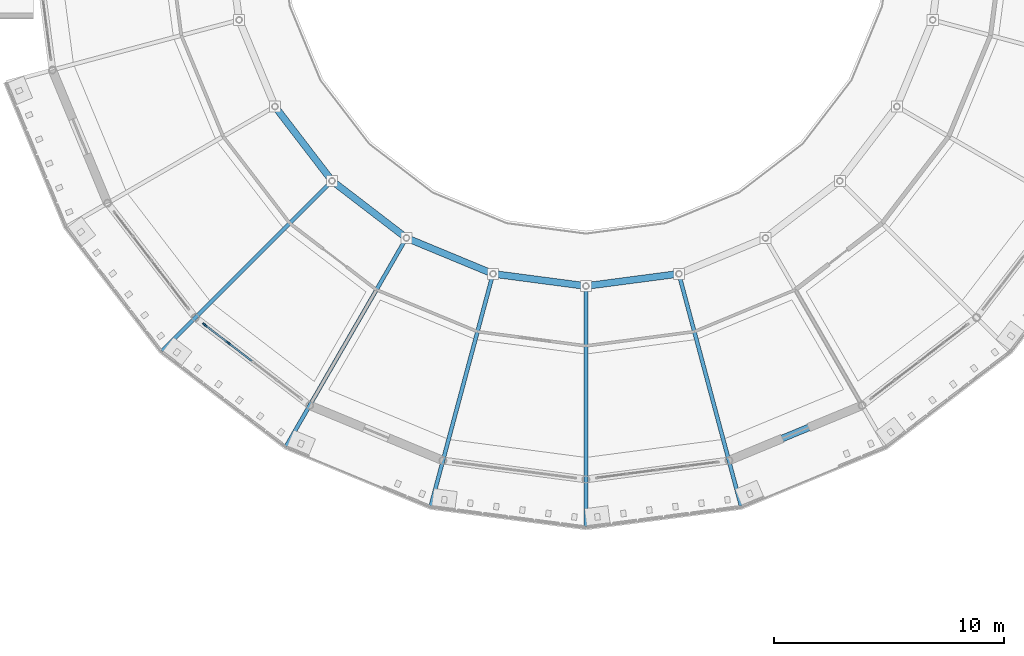
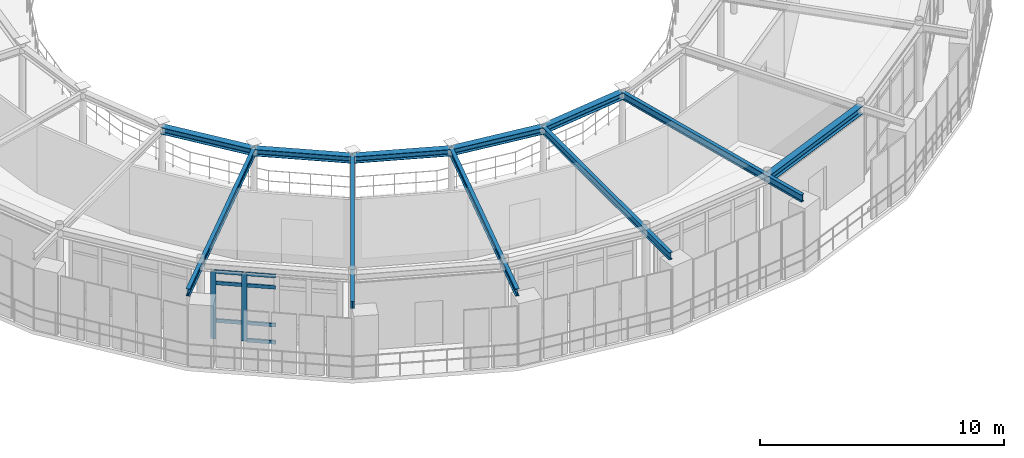
# One storey, part 23 of 70: 11 beams, 9 members, 1 element without a shape of its own.
"""IFC4 building model written with IfcOpenShell, lengths in metres."""

import ifcopenshell
import ifcopenshell.guid

model = None  # the IFC model being written
_history = None  # IfcOwnerHistory: only IFC2X3 demands one
_inside = {}  # id of a spatial element -> (the spatial element, [elements in it])
_under = {}  # id of a project, library or spatial element -> (it, [spatial elements below it])
_declared = {}  # id of a project -> (the project, [libraries it declares])
_typed = {}  # id of a type object -> (the type object, [elements of that type])
_made_of = {}  # id of a material, layer set ... -> (it, [elements and type objects made of it])


def new_model(schema):
    """Start an empty IFC model of exactly this schema.

    Asked for "IFC4X3", IfcOpenShell would pick the latest addendum, in which some entities
    have other attributes; the version numbers below select the first issue.
    IFC2X3 requires an IfcOwnerHistory on every rooted entity: one is made here for all.
    """
    global model, _history
    if schema == "IFC4X3":
        model = ifcopenshell.file(schema_version=(4, 3, 0, 0))
    else:
        model = ifcopenshell.file(schema=schema)
    _inside.clear()
    _under.clear()
    _declared.clear()
    _typed.clear()
    _made_of.clear()
    _history = None
    if model.schema == "IFC2X3":
        org = make("IfcOrganization", Name="unknown")
        user = make(
            "IfcPersonAndOrganization",
            ThePerson=make("IfcPerson", FamilyName="unknown"),
            TheOrganization=org,
        )
        app = make(
            "IfcApplication",
            ApplicationDeveloper=org,
            Version="unknown",
            ApplicationFullName="unknown",
            ApplicationIdentifier="unknown",
        )
        _history = make(
            "IfcOwnerHistory",
            OwningUser=user,
            OwningApplication=app,
            ChangeAction="ADDED",
            CreationDate=0,
        )
    return model


def make(cls, **values):
    """One entity of the class cls with the attributes given. An attribute that is None is left unset."""
    return model.create_entity(
        cls, **{name: value for name, value in values.items() if value is not None}
    )


def rooted(cls, **values):
    """An entity with a GlobalId (a new one), such as an element, a storey or a relation."""
    return make(cls, GlobalId=ifcopenshell.guid.new(), OwnerHistory=_history, **values)


def si_unit(unit_type, name, prefix=None):
    """IfcSIUnit, for example si_unit("LENGTHUNIT", "METRE", prefix="MILLI")."""
    return make("IfcSIUnit", UnitType=unit_type, Prefix=prefix, Name=name)


def derived_unit(unit_type, elements):
    """IfcDerivedUnit: a product of units, each with its exponent."""
    return make(
        "IfcDerivedUnit",
        Elements=[
            make("IfcDerivedUnitElement", Unit=unit, Exponent=power)
            for unit, power in elements
        ],
        UnitType=unit_type,
    )


def assignment(units):
    """IfcUnitAssignment: the units of a project."""
    return None if units is None else make("IfcUnitAssignment", Units=units)


def point(xyz):
    """IfcCartesianPoint."""
    return None if xyz is None else make("IfcCartesianPoint", Coordinates=xyz)


def direction(xyz):
    """IfcDirection."""
    return None if xyz is None else make("IfcDirection", DirectionRatios=xyz)


def frame(location, z_axis=None, x_axis=None):
    """IfcAxis2Placement3D, a coordinate frame: its origin and axes. An axis left out is left unset."""
    return make(
        "IfcAxis2Placement3D",
        Location=point(location),
        Axis=direction(z_axis),
        RefDirection=direction(x_axis),
    )


def frame_2d(location, x_axis=None):
    """IfcAxis2Placement2D, a coordinate frame in the plane: its origin and x axis."""
    return make(
        "IfcAxis2Placement2D", Location=point(location), RefDirection=direction(x_axis)
    )


def origin():
    """The frame at (0, 0, 0) with its axes left unset."""
    return frame((0.0, 0.0, 0.0))


def origin_2d():
    """The frame at (0, 0) in the plane with its x axis left unset."""
    return frame_2d((0.0, 0.0))


def place(relative_to, where):
    """IfcLocalPlacement: puts the frame where relative to a parent placement (None: the world)."""
    return make(
        "IfcLocalPlacement", PlacementRelTo=relative_to, RelativePlacement=where
    )


def context(
    kind, dimensions, precision=None, world=None, true_north=None, identifier=None
):
    """IfcGeometricRepresentationContext, for example the 3D "Model" context."""
    return make(
        "IfcGeometricRepresentationContext",
        ContextIdentifier=identifier,
        ContextType=kind,
        CoordinateSpaceDimension=dimensions,
        Precision=precision,
        WorldCoordinateSystem=world,
        TrueNorth=true_north,
    )


def subcontext(parent, identifier, kind, view, scale=None):
    """IfcGeometricRepresentationSubContext, for example "Body" below "Model"."""
    return make(
        "IfcGeometricRepresentationSubContext",
        ContextIdentifier=identifier,
        ContextType=kind,
        ParentContext=parent,
        TargetScale=scale,
        TargetView=view,
    )


def project(units=None, contexts=None):
    """IfcProject with its units and contexts."""
    return rooted(
        "IfcProject",
        Name="project",
        RepresentationContexts=contexts,
        UnitsInContext=assignment(units),
    )


def spatial(cls, under=None, at=None, **own):
    """A site, building, storey or space (cls), placed at a placement, below another one or the project."""
    s = rooted(cls, ObjectPlacement=at, **own)
    if under is not None:
        _under.setdefault(under.id(), (under, []))[1].append(s)
    return s


def profile(cls, at=None, kind="AREA", **sizes):
    """A parametric profile (cls). Its sizes go by their IFC names, for example OverallWidth=200.0."""
    return make(cls, ProfileType=kind, Position=at, **sizes)


def rectangle(**sizes):
    """IfcRectangleProfileDef."""
    return profile("IfcRectangleProfileDef", **sizes)


def i_section(**sizes):
    """IfcIShapeProfileDef."""
    return profile("IfcIShapeProfileDef", **sizes)


def extrude(swept, where, along, depth):
    """IfcExtrudedAreaSolid: the profile swept, set in the frame where, extruded along a direction by depth."""
    return make(
        "IfcExtrudedAreaSolid",
        SweptArea=swept,
        Position=where,
        ExtrudedDirection=direction(along),
        Depth=depth,
    )


def shape(context_of_items, identifier, shape_type, items):
    """IfcShapeRepresentation: the items that make up one representation, for example the "Body"."""
    return make(
        "IfcShapeRepresentation",
        ContextOfItems=context_of_items,
        RepresentationIdentifier=identifier,
        RepresentationType=shape_type,
        Items=items,
    )


def material(Name=None, Category=None):
    """IfcMaterial."""
    return make("IfcMaterial", Name=Name, Category=Category)


def layer(
    of_material, thickness, ventilated=None, Name=None, Category=None, Priority=None
):
    """IfcMaterialLayer: one layer of a wall or slab, of a material (None: an air gap)."""
    return make(
        "IfcMaterialLayer",
        Material=of_material,
        LayerThickness=thickness,
        IsVentilated=ventilated,
        Name=Name,
        Category=Category,
        Priority=Priority,
    )


def layer_set(layers, Name=None):
    """IfcMaterialLayerSet."""
    return make("IfcMaterialLayerSet", MaterialLayers=layers, LayerSetName=Name)


def material_profile(
    of_material, cross_section, Name=None, Category=None, Priority=None
):
    """IfcMaterialProfile: a cross section and its material."""
    return make(
        "IfcMaterialProfile",
        Name=Name,
        Material=of_material,
        Profile=cross_section,
        Priority=Priority,
        Category=Category,
    )


def profile_set(profiles, Name=None, composite=None):
    """IfcMaterialProfileSet."""
    return make(
        "IfcMaterialProfileSet",
        Name=Name,
        MaterialProfiles=profiles,
        CompositeProfile=composite,
    )


def made_of(thing, what):
    """Note that an element or type object is made of a material, layer set ...; save() writes the relation."""
    if what is not None:
        _made_of.setdefault(what.id(), (what, []))[1].append(thing)
    return thing


def type_object(cls, material=None, **own):
    """A type object (cls), such as IfcWallType, which elements share."""
    return made_of(rooted(cls, **own), material)


def element(
    cls,
    number,
    at=None,
    inside=None,
    cuts=None,
    type_object=None,
    material=None,
    context=None,
    identifier="Body",
    shape_type=None,
    held_by="IfcProductDefinitionShape",
    body=None,
    shapes=None,
    **own,
):
    """One element of the class cls, such as IfcWall. Its Tag is "e" and its number.

    at: its placement. inside: the storey or other place that contains it. cuts: it is an
    opening in that element (IfcRelVoidsElement). A single representation is given by context,
    identifier, shape_type and body (its items); several are given by shapes. held_by: the class
    of the entity that holds the representations. save() writes the other relations.
    """
    e = rooted(cls, Tag="e%d" % number, ObjectPlacement=at, **own)
    if body is not None:
        shapes = [shape(context, identifier, shape_type, body)]
    if shapes is not None:
        e.Representation = make(held_by, Representations=shapes)
    if inside is not None:
        _inside.setdefault(inside.id(), (inside, []))[1].append(e)
    if cuts is not None:
        rooted(
            "IfcRelVoidsElement", RelatingBuildingElement=cuts, RelatedOpeningElement=e
        )
    if type_object is not None:
        _typed.setdefault(type_object.id(), (type_object, []))[1].append(e)
    return made_of(e, material)


def aggregate(whole, parts):
    """IfcRelAggregates: a whole, such as a stair, and the parts it consists of."""
    return rooted("IfcRelAggregates", RelatingObject=whole, RelatedObjects=parts)


def save(model, path):
    """Write the relations noted so far, then the file.

    IfcRelAggregates (storeys below a building ...), IfcRelContainedInSpatialStructure (elements
    in a storey), IfcRelDefinesByType, IfcRelAssociatesMaterial and IfcRelDeclares: one each for
    every whole, place, type object, material and project.
    """
    for whole, parts in _under.values():
        aggregate(whole, parts)
    for where, things in _inside.values():
        rooted(
            "IfcRelContainedInSpatialStructure",
            RelatedElements=things,
            RelatingStructure=where,
        )
    for kind, things in _typed.values():
        rooted("IfcRelDefinesByType", RelatedObjects=things, RelatingType=kind)
    for what, things in _made_of.values():
        rooted("IfcRelAssociatesMaterial", RelatedObjects=things, RelatingMaterial=what)
    for by, libraries in _declared.values():
        rooted("IfcRelDeclares", RelatingContext=by, RelatedDefinitions=libraries)
    model.write(path)


model = new_model("IFC4")

# Units and contexts
model_context = context("Model", 3, precision=1e-05, world=origin(), true_north=direction((0.0, 1.0)))
body_context = subcontext(model_context, "Body", "Model", "MODEL_VIEW")
ifc_project = project(units=[si_unit("LENGTHUNIT", "METRE"), si_unit("AREAUNIT", "SQUARE_METRE"), si_unit("VOLUMEUNIT", "CUBIC_METRE"), si_unit("PLANEANGLEUNIT", "RADIAN"), si_unit("MASSUNIT", "GRAM", prefix="KILO"), derived_unit("THERMALTRANSMITTANCEUNIT", [(si_unit("POWERUNIT", "WATT"), 1), (si_unit("AREAUNIT", "SQUARE_METRE"), -1), (si_unit("THERMODYNAMICTEMPERATUREUNIT", "KELVIN"), -1)])], contexts=[model_context])

# Site, building, storey
site_placement = place(None, origin())
site = spatial("IfcSite", under=ifc_project, at=site_placement, CompositionType="ELEMENT")
building_placement = place(site_placement, origin())
building = spatial("IfcBuilding", under=site, at=building_placement, Name="Yasenodar Specialist Clinic", CompositionType="ELEMENT")
storey_placement = place(building_placement, frame((0.0, 0.0, 13.199951171875)))
storey = spatial("IfcBuildingStorey", under=building, at=storey_placement, Name="L03", CompositionType="ELEMENT", Elevation=13.199951171875)

# Beams
ifc_material_1 = material(Name="Steel S355", Category="steel")
ifc_material_profile_1 = material_profile(ifc_material_1, i_section(OverallWidth=0.300048828125, OverallDepth=0.330078125, WebThickness=0.009521484375, FlangeThickness=0.0166015625, FilletRadius=0.027099609375, at=origin_2d()), Name="HEA 340")
ifc_profile_set_1 = profile_set([ifc_material_profile_1], Name="Steel S355")
beam_type_1 = type_object("IfcBeamType", Name="BM-HEA340", PredefinedType="BEAM", material=ifc_profile_set_1)
for number, where, z_axis, x_axis, name in (
    (1, (67.489990234375, 51.0, 3.635009765625), (0.608731039936, -0.793376657722, 0.0), (0.793376657722, 0.608731039936, 0.0), "L03 Drum V1 Inner Ring Beam"),
    (2, (69.968994140625, 47.76904296875, 3.635009765625), (0.793376657722, -0.608731039936, 0.0), (0.608731039936, 0.793376657722, 0.0), "L03 Drum V1 Inner Ring Beam"),
    (3, (73.199951171875, 45.2900390625, 3.635009765625), (0.92388896868, -0.382660650645, 0.0), (0.382660650645, 0.92388896868, 0.0), "L03 Drum V1 Inner Ring Beam"),
    (4, (76.96240234375, 43.731689453125, 3.635009765625), (0.991439189385, -0.130569268018, 0.0), (0.130569268018, 0.991439189385, 0.0), "L03 Drum V1 Inner Ring Beam"),
    (5, (81.0, 43.199951171875, 3.635009765625), (0.991439189385, 0.130569268018, 0.0), (-0.130569268018, 0.991439189385, 0.0), "L03 Drum V1 Inner Ring Beam"),
):
    element("IfcBeam", number, at=place(storey_placement, frame(where, z_axis=z_axis, x_axis=x_axis)), inside=storey, type_object=beam_type_1, Name=name, PredefinedType="BEAM", context=body_context, shape_type="SweptSolid", body=[
        extrude(i_section(OverallWidth=0.300048828125, OverallDepth=0.330078125, WebThickness=0.009521484375, FlangeThickness=0.0166015625, FilletRadius=0.027099609375, at=origin_2d()), origin(), (0.0, 0.0, 1.0), 4.072509765625),
    ])
ifc_material_profile_2 = material_profile(ifc_material_1, i_section(OverallWidth=0.300048828125, OverallDepth=0.389892578125, WebThickness=0.010986328125, FlangeThickness=0.01904296875, FilletRadius=0.027099609375, at=origin_2d()), Name="HEA 400")
ifc_profile_set_2 = profile_set([ifc_material_profile_2], Name="Steel S355")
beam_type_2 = type_object("IfcBeamType", Name="BM-HEA400", PredefinedType="BEAM", material=ifc_profile_set_2)
beam_placement = place(storey_placement, frame((87.211669921875, 35.617919921875, 3.60498046875), z_axis=(0.9238876519, 0.382663829839, 0.0), x_axis=(-0.382663829839, 0.9238876519, 0.0)))
element("IfcBeam", 6, at=beam_placement, inside=storey, type_object=beam_type_2, Name="L03 Drum V1 Perimeter Ring Beam", PredefinedType="BEAM", context=body_context, shape_type="SweptSolid", body=[
    extrude(i_section(OverallWidth=0.300048828125, OverallDepth=0.389892578125, WebThickness=0.010986328125, FlangeThickness=0.01904296875, FilletRadius=0.027099609375, at=origin_2d()), origin(), (0.0, 0.0, 1.0), 6.26513671875),
])
ifc_material_profile_3 = material_profile(ifc_material_1, i_section(OverallWidth=0.169921875, OverallDepth=0.360107421875, WebThickness=0.008056640625, FlangeThickness=0.0126953125, FilletRadius=0.01806640625, at=origin_2d()), Name="IPE 360")
ifc_profile_set_3 = profile_set([ifc_material_profile_3], Name="Steel S355")
beam_type_3 = type_object("IfcBeamType", Name="BM-IPE360", PredefinedType="BEAM", material=ifc_profile_set_3)
for number, where, z_axis, x_axis, name in (
    (7, (69.968994140625, 47.76904296875, 3.6201171875), (-0.707106781187, -0.707106781187, 0.0), (0.707106781187, -0.707106781187, 0.0), "L03 Drum V1 Radial Back-Spanned Cantilever Beam"),
    (8, (73.199951171875, 45.2900390625, 3.6201171875), (-0.499986032603, -0.866033467715, 0.0), (0.866033467715, -0.499986032603, 0.0), "L03 Drum V1 Radial Back-Spanned Cantilever Beam"),
    (9, (76.96240234375, 43.731689453125, 3.6201171875), (-0.258811211874, -0.965927925162, 0.0), (0.965927925162, -0.258811211874, 0.0), "L03 Drum V1 Radial Back-Spanned Cantilever Beam"),
    (10, (81.0, 43.199951171875, 3.6201171875), (0.0, -1.0, 0.0), (1.0, 0.0, 0.0), "L03 Drum V1 Radial Back-Spanned Cantilever Beam"),
    (11, (85.03759765625, 43.731689453125, 3.6201171875), (0.258811211874, -0.965927925162, 0.0), (0.965927925162, 0.258811211874, 0.0), "L03 Drum V1 Radial Back-Spanned Cantilever Beam"),
):
    element("IfcBeam", number, at=place(storey_placement, frame(where, z_axis=z_axis, x_axis=x_axis)), inside=storey, type_object=beam_type_3, Name=name, PredefinedType="BEAM", context=body_context, shape_type="SweptSolid", body=[
        extrude(i_section(OverallWidth=0.169921875, OverallDepth=0.360107421875, WebThickness=0.008056640625, FlangeThickness=0.0126953125, FilletRadius=0.01806640625, at=origin_2d()), origin(), (0.0, 0.0, 1.0), 10.449951171875),
    ])

# Curtain wall, members
ifc_material_2 = material(Name="Bronze Anodized Aluminium and Triple Low-E Glass", Category="aluminium")
ifc_layer = layer(ifc_material_2, 0.1669921875)
ifc_layer_set = layer_set([ifc_layer], Name="Bronze Anodized Aluminium and Triple Low-E Glass")
curtain_wall_type = type_object("IfcCurtainWallType", Name="CW-SYS-01", PredefinedType="USERDEFINED", material=ifc_layer_set)
curtain_wall_placement = place(storey_placement, origin())
curtain_wall = element("IfcCurtainWall", 12, at=curtain_wall_placement, inside=storey, type_object=curtain_wall_type, Name="L03 Unitised Curtain Wall 050", ObjectType="UNITISED CURTAIN WALL", PredefinedType="USERDEFINED")
ifc_material_3 = material(Name="Bronze Anodized Aluminium", Category="aluminium")
ifc_material_profile_4 = material_profile(ifc_material_3, rectangle(XDim=0.074951171875, YDim=0.22509765625, at=origin_2d()), Name="CW-MULL 75x225")
ifc_profile_set_4 = profile_set([ifc_material_profile_4], Name="Bronze Anodized Aluminium")
member_type_1 = type_object("IfcMemberType", Name="CW-MULL-225", PredefinedType="MULLION", material=ifc_profile_set_4)
member_1_placement = place(storey_placement, frame((65.46240234375, 40.729736328125, 0.0), z_axis=(0.0, 0.0, 1.0), x_axis=(-0.608752021844, -0.793360558574, 0.0)))
member_1 = element("IfcMember", 13, at=member_1_placement, type_object=member_type_1, Name="CW-01 mullion 4", PredefinedType="MULLION", context=body_context, shape_type="SweptSolid", body=[
    extrude(rectangle(XDim=0.074951171875, YDim=0.22509765625, at=origin_2d()), origin(), (0.0, 0.0, 1.0), 3.387939453125),
])
member_2_placement = place(storey_placement, frame((64.43994140625, 41.514404296875, 0.0), z_axis=(0.0, 0.0, 1.0), x_axis=(-0.608752021844, -0.793360558574, 0.0)))
member_2 = element("IfcMember", 14, at=member_2_placement, type_object=member_type_1, Name="CW-01 mullion 5", PredefinedType="MULLION", context=body_context, shape_type="SweptSolid", body=[
    extrude(rectangle(XDim=0.074951171875, YDim=0.22509765625, at=origin_2d()), origin(), (0.0, 0.0, 1.0), 3.387939453125),
])
ifc_material_profile_5 = material_profile(ifc_material_3, rectangle(XDim=0.074951171875, YDim=0.175048828125, at=origin_2d()), Name="CW-TRAN 75x175")
ifc_profile_set_5 = profile_set([ifc_material_profile_5], Name="Bronze Anodized Aluminium")
member_type_2 = type_object("IfcMemberType", Name="CW-TRAN-175", PredefinedType="USERDEFINED", material=ifc_profile_set_5)
member_3_placement = place(storey_placement, frame((66.48486328125, 39.9453125, 0.03759765625), z_axis=(-0.79334877301, 0.608767381159, 0.0), x_axis=(-0.608767381159, -0.79334877301, 0.0)))
member_3 = element("IfcMember", 15, at=member_3_placement, type_object=member_type_2, Name="CW-01 transom 3.1", ObjectType="TRANSOM", PredefinedType="USERDEFINED", context=body_context, shape_type="SweptSolid", body=[
    extrude(rectangle(XDim=0.074951171875, YDim=0.175048828125, at=origin_2d()), origin(), (0.0, 0.0, 1.0), 1.251220703125),
])
member_4_placement = place(storey_placement, frame((66.48486328125, 39.9453125, 0.900146484375), z_axis=(-0.79334877301, 0.608767381159, 0.0), x_axis=(-0.608767381159, -0.79334877301, 0.0)))
member_4 = element("IfcMember", 16, at=member_4_placement, type_object=member_type_2, Name="CW-01 transom 3.2", ObjectType="TRANSOM", PredefinedType="USERDEFINED", context=body_context, shape_type="SweptSolid", body=[
    extrude(rectangle(XDim=0.074951171875, YDim=0.175048828125, at=origin_2d()), origin(), (0.0, 0.0, 1.0), 1.251220703125),
])
member_5_placement = place(storey_placement, frame((66.48486328125, 39.9453125, 2.7880859375), z_axis=(-0.79334877301, 0.608767381159, 0.0), x_axis=(-0.608767381159, -0.79334877301, 0.0)))
member_5 = element("IfcMember", 17, at=member_5_placement, type_object=member_type_2, Name="CW-01 transom 3.3", ObjectType="TRANSOM", PredefinedType="USERDEFINED", context=body_context, shape_type="SweptSolid", body=[
    extrude(rectangle(XDim=0.074951171875, YDim=0.175048828125, at=origin_2d()), origin(), (0.0, 0.0, 1.0), 1.251220703125),
])
member_6_placement = place(storey_placement, frame((66.48486328125, 39.9453125, 3.3505859375), z_axis=(-0.79334877301, 0.608767381159, 0.0), x_axis=(-0.608767381159, -0.79334877301, 0.0)))
member_6 = element("IfcMember", 18, at=member_6_placement, type_object=member_type_2, Name="CW-01 transom 3.4", ObjectType="TRANSOM", PredefinedType="USERDEFINED", context=body_context, shape_type="SweptSolid", body=[
    extrude(rectangle(XDim=0.074951171875, YDim=0.175048828125, at=origin_2d()), origin(), (0.0, 0.0, 1.0), 1.251220703125),
])
member_7_placement = place(storey_placement, frame((65.4326171875, 40.752685546875, 0.900146484375), z_axis=(-0.793386142334, 0.60871867817, 0.0), x_axis=(-0.60871867817, -0.793386142334, 0.0)))
member_7 = element("IfcMember", 19, at=member_7_placement, type_object=member_type_2, Name="CW-01 transom 4.2", ObjectType="TRANSOM", PredefinedType="USERDEFINED", context=body_context, shape_type="SweptSolid", body=[
    extrude(rectangle(XDim=0.074951171875, YDim=0.175048828125, at=origin_2d()), origin(), (0.0, 0.0, 1.0), 1.213623046875),
])
member_8_placement = place(storey_placement, frame((65.4326171875, 40.752685546875, 2.7880859375), z_axis=(-0.793386142334, 0.60871867817, 0.0), x_axis=(-0.60871867817, -0.793386142334, 0.0)))
member_8 = element("IfcMember", 20, at=member_8_placement, type_object=member_type_2, Name="CW-01 transom 4.3", ObjectType="TRANSOM", PredefinedType="USERDEFINED", context=body_context, shape_type="SweptSolid", body=[
    extrude(rectangle(XDim=0.074951171875, YDim=0.175048828125, at=origin_2d()), origin(), (0.0, 0.0, 1.0), 1.213623046875),
])
member_9_placement = place(storey_placement, frame((65.4326171875, 40.752685546875, 3.3505859375), z_axis=(-0.793386142334, 0.60871867817, 0.0), x_axis=(-0.60871867817, -0.793386142334, 0.0)))
member_9 = element("IfcMember", 21, at=member_9_placement, type_object=member_type_2, Name="CW-01 transom 4.4", ObjectType="TRANSOM", PredefinedType="USERDEFINED", context=body_context, shape_type="SweptSolid", body=[
    extrude(rectangle(XDim=0.074951171875, YDim=0.175048828125, at=origin_2d()), origin(), (0.0, 0.0, 1.0), 1.213623046875),
])
aggregate(curtain_wall, [member_1, member_2, member_3, member_4, member_5, member_6, member_7, member_8, member_9])

save(model, "model.ifc")
